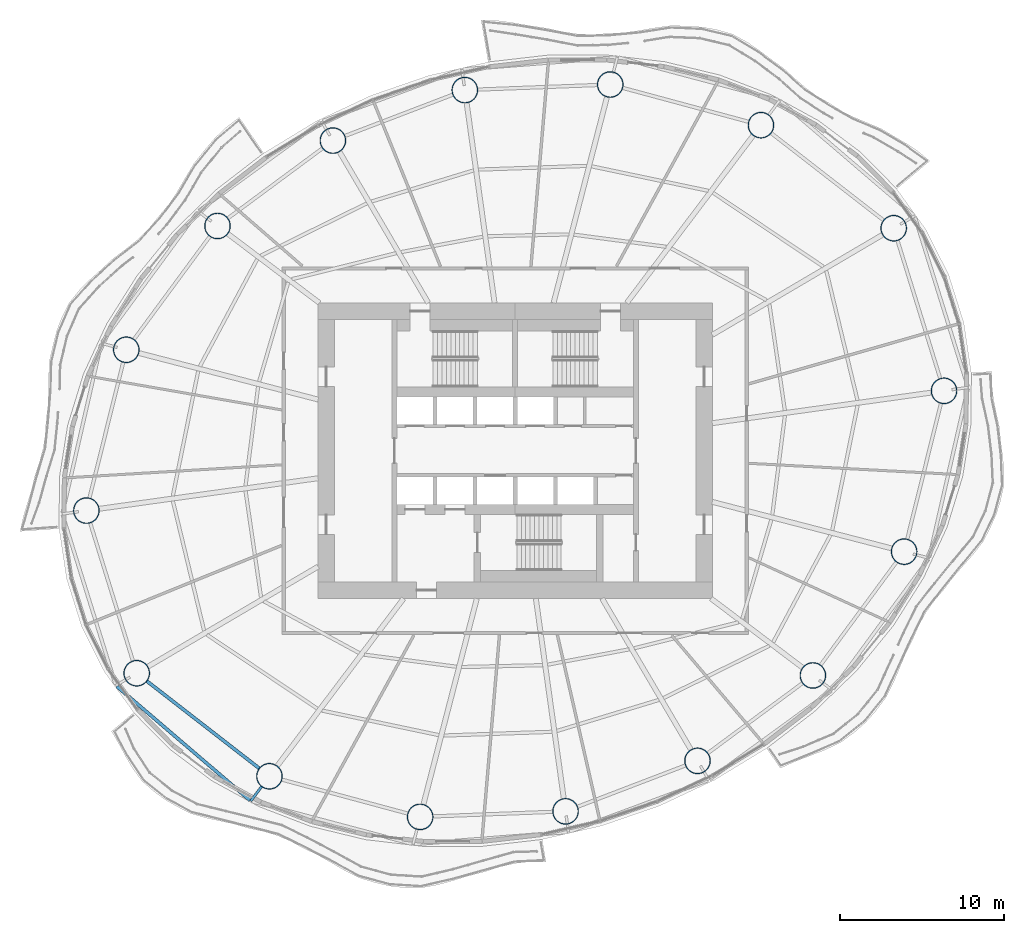
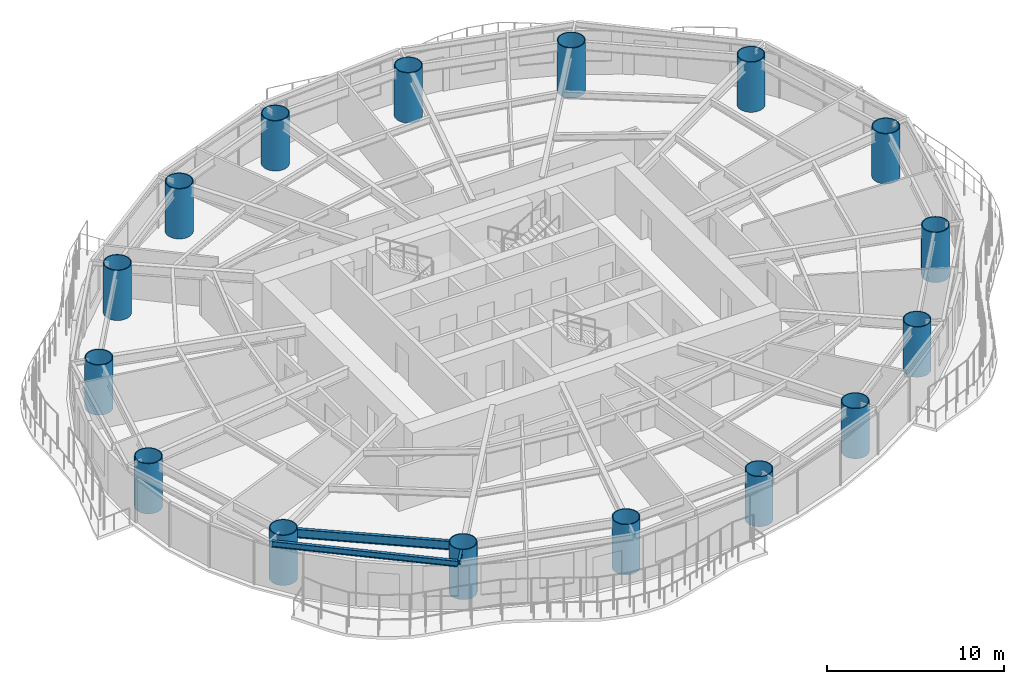
# One storey, part 1 of 15: 16 columns, 3 beams.
"""IFC4 building model written with IfcOpenShell, lengths in metres."""

from ifc_helpers import new_model, si_unit, direction, frame, origin, origin_2d, place, context, subcontext, project, spatial, hollow_circle, i_section, extrude, material, material_profile, profile_set, type_object, element, save


model = new_model("IFC4")

# Units and contexts
model_context = context("Model", 3, precision=1e-05, world=origin(), true_north=direction((0.0, 1.0)))
body_context = subcontext(model_context, "Body", "Model", "MODEL_VIEW")
ifc_project = project(units=[si_unit("LENGTHUNIT", "METRE"), si_unit("AREAUNIT", "SQUARE_METRE"), si_unit("VOLUMEUNIT", "CUBIC_METRE"), si_unit("PLANEANGLEUNIT", "RADIAN"), si_unit("MASSUNIT", "GRAM", prefix="KILO")], contexts=[model_context])

# Site, building, storey
site_placement = place(None, origin())
site = spatial("IfcSite", under=ifc_project, at=site_placement, CompositionType="ELEMENT")
building_placement = place(site_placement, origin())
building = spatial("IfcBuilding", under=site, at=building_placement, Name="Vermilion Reach Broadcast Tower", CompositionType="ELEMENT")
storey_placement = place(building_placement, frame((0.0, 0.0, 121.0)))
storey = spatial("IfcBuildingStorey", under=building, at=storey_placement, Name="L28", CompositionType="ELEMENT", Elevation=121.0)

# Columns
ifc_material_1 = material(Name="Concrete C80 infill in steel S460NL tube", Category="concrete")
ifc_material_profile_1 = material_profile(ifc_material_1, hollow_circle(Radius=0.800048828125, WallThickness=0.054931640625, at=origin_2d()), Name="Concrete C80 infill in steel S460NL tube CFT 1600x55")
ifc_profile_set_1 = profile_set([ifc_material_profile_1], Name="Concrete C80 infill in steel S460NL tube")
column_type = type_object("IfcColumnType", Name="MC2 CFT 1600x55", PredefinedType="COLUMN", material=ifc_profile_set_1)
for number, where, z_axis, x_axis, name in (
    (1, (17.04345703125, 13.546630859375, 0.0), (0.0, 0.0, 1.0), (1.0, 0.0, 0.0), "Mega-column MC2-01"),
    (2, (8.96337890625, 19.821044921875, 0.0), (0.0, 0.0, 1.0), (1.0, 0.0, 0.0), "Mega-column MC2-02"),
    (3, (-0.21337890625, 22.29443359375, 0.0), (0.0, 0.0, 1.0), (1.0, 0.0, 0.0), "Mega-column MC2-03"),
    (4, (-9.066162109375, 21.955810546875, 0.0), (0.0, 0.0, 1.0), (1.0, 0.0, 0.0), "Mega-column MC2-04"),
    (5, (-17.099609375, 18.881103515625, 0.0), (0.0, 0.0, 1.0), (1.0, 0.0, 0.0), "Mega-column MC2-05"),
    (6, (-24.12451171875, 13.6826171875, 0.0), (0.0, 0.0, 1.0), (1.0, 0.0, 0.0), "Mega-column MC2-06"),
    (7, (-29.6787109375, 6.145751953125, 0.0), (0.0, 0.0, 1.0), (1.0, 0.0, 0.0), "Mega-column MC2-07"),
    (8, (-32.10888671875, -3.646240234375, 0.0), (0.0, 0.0, 1.0), (1.0, 0.0, 0.0), "Mega-column MC2-08"),
    (9, (-29.04345703125, -13.546630859375, 0.0), (0.0, 0.0, 1.0), (1.0, 0.0, 0.0), "Mega-column MC2-09"),
    (10, (-20.96337890625, -19.821044921875, 0.0), (0.0, 0.0, 1.0), (1.0, 0.0, 0.0), "Mega-column MC2-10"),
    (11, (-11.78662109375, -22.29443359375, 0.0), (0.0, 0.0, 1.0), (1.0, 0.0, 0.0), "Mega-column MC2-11"),
    (12, (-2.933837890625, -21.955810546875, 0.0), (0.0, 0.0, 1.0), (1.0, 0.0, 0.0), "Mega-column MC2-12"),
    (13, (5.099609375, -18.881103515625, 0.0), (0.0, 0.0, 1.0), (1.0, 0.0, 0.0), "Mega-column MC2-13"),
    (14, (12.12451171875, -13.6826171875, 0.0), (0.0, 0.0, 1.0), (1.0, 0.0, 0.0), "Mega-column MC2-14"),
    (15, (17.6787109375, -6.145751953125, 0.0), (0.0, 0.0, 1.0), (1.0, 0.0, 0.0), "Mega-column MC2-15"),
    (16, (20.10888671875, 3.646240234375, 0.0), (0.0, 0.0, 1.0), (1.0, 0.0, 0.0), "Mega-column MC2-16"),
):
    element("IfcColumn", number, at=place(storey_placement, frame(where, z_axis=z_axis, x_axis=x_axis)), inside=storey, type_object=column_type, Name=name, PredefinedType="COLUMN", context=body_context, shape_type="SweptSolid", body=[
        extrude(hollow_circle(Radius=0.800048828125, WallThickness=0.054931640625, at=origin_2d()), origin(), (0.0, 0.0, 1.0), 3.449951171875),
    ])

# Beams
ifc_material_2 = material(Name="Steel S355J2", Category="steel")
ifc_material_profile_2 = material_profile(ifc_material_2, i_section(OverallWidth=0.199951171875, OverallDepth=0.39990234375, WebThickness=0.008056640625, FlangeThickness=0.012939453125, at=origin_2d()), Name="S355J2 HN 400x200x8x13")
ifc_profile_set_2 = profile_set([ifc_material_profile_2], Name="Steel S355J2")
beam_type_1 = type_object("IfcBeamType", Name="EB2 HN 400x200x8x13", PredefinedType="BEAM", material=ifc_profile_set_2)
beam_1_placement = place(storey_placement, frame((-30.255859375, -14.34619140625, 3.25), z_axis=(0.759689690312, -0.650285763671, 0.0), x_axis=(0.650285763671, 0.759689690312, 0.0)))
element("IfcBeam", 17, at=beam_1_placement, inside=storey, type_object=beam_type_1, Name="Edge beam EB2-09", PredefinedType="BEAM", context=body_context, shape_type="SweptSolid", body=[
    extrude(i_section(OverallWidth=0.199951171875, OverallDepth=0.39990234375, WebThickness=0.008056640625, FlangeThickness=0.012939453125, at=origin_2d()), origin(), (0.0, 0.0, 1.0), 10.66015625),
])
ifc_material_3 = material(Name="Steel S355J2", Category="steel")
ifc_material_profile_3 = material_profile(ifc_material_3, i_section(OverallWidth=0.14990234375, OverallDepth=0.300048828125, WebThickness=0.006591796875, FlangeThickness=0.009033203125, at=origin_2d()), Name="S355J2 HN 300x150x6.5x9")
ifc_profile_set_3 = profile_set([ifc_material_profile_3], Name="Steel S355J2")
beam_type_2 = type_object("IfcBeamType", Name="GS2 HN 300x150x6.5x9", PredefinedType="BEAM", material=ifc_profile_set_3)
beam_2_placement = place(storey_placement, frame((-21.4453125, -20.45947265625, 3.300048828125), z_axis=(-0.602512180589, -0.798109686849, 0.0), x_axis=(0.798109686849, -0.602512180589, 0.0)))
element("IfcBeam", 18, at=beam_2_placement, inside=storey, type_object=beam_type_2, Name="Cantilever stub GS2-10", PredefinedType="BEAM", context=body_context, shape_type="SweptSolid", body=[
    extrude(i_section(OverallWidth=0.14990234375, OverallDepth=0.300048828125, WebThickness=0.006591796875, FlangeThickness=0.009033203125, at=origin_2d()), origin(), (0.0, 0.0, 1.0), 1.087158203125),
])
ifc_material_4 = material(Name="Steel S355J2", Category="steel")
ifc_material_profile_4 = material_profile(ifc_material_4, i_section(OverallWidth=0.199951171875, OverallDepth=0.60009765625, WebThickness=0.010986328125, FlangeThickness=0.01708984375, at=origin_2d()), Name="S355J2 HN 600x200x11x17")
ifc_profile_set_4 = profile_set([ifc_material_profile_4], Name="Steel S355J2")
beam_type_3 = type_object("IfcBeamType", Name="RB2 HN 600x200x11x17", PredefinedType="BEAM", material=ifc_profile_set_4)
beam_3_placement = place(storey_placement, frame((-28.41162109375, -14.037109375, 3.14990234375), z_axis=(0.789825712432, -0.613331349257, 0.0), x_axis=(0.613331349257, 0.789825712432, 0.0)))
element("IfcBeam", 19, at=beam_3_placement, inside=storey, type_object=beam_type_3, Name="Ring beam RB2-09", PredefinedType="BEAM", context=body_context, shape_type="SweptSolid", body=[
    extrude(i_section(OverallWidth=0.199951171875, OverallDepth=0.60009765625, WebThickness=0.010986328125, FlangeThickness=0.01708984375, at=origin_2d()), origin(), (0.0, 0.0, 1.0), 8.63037109375),
])

save(model, "model.ifc")
